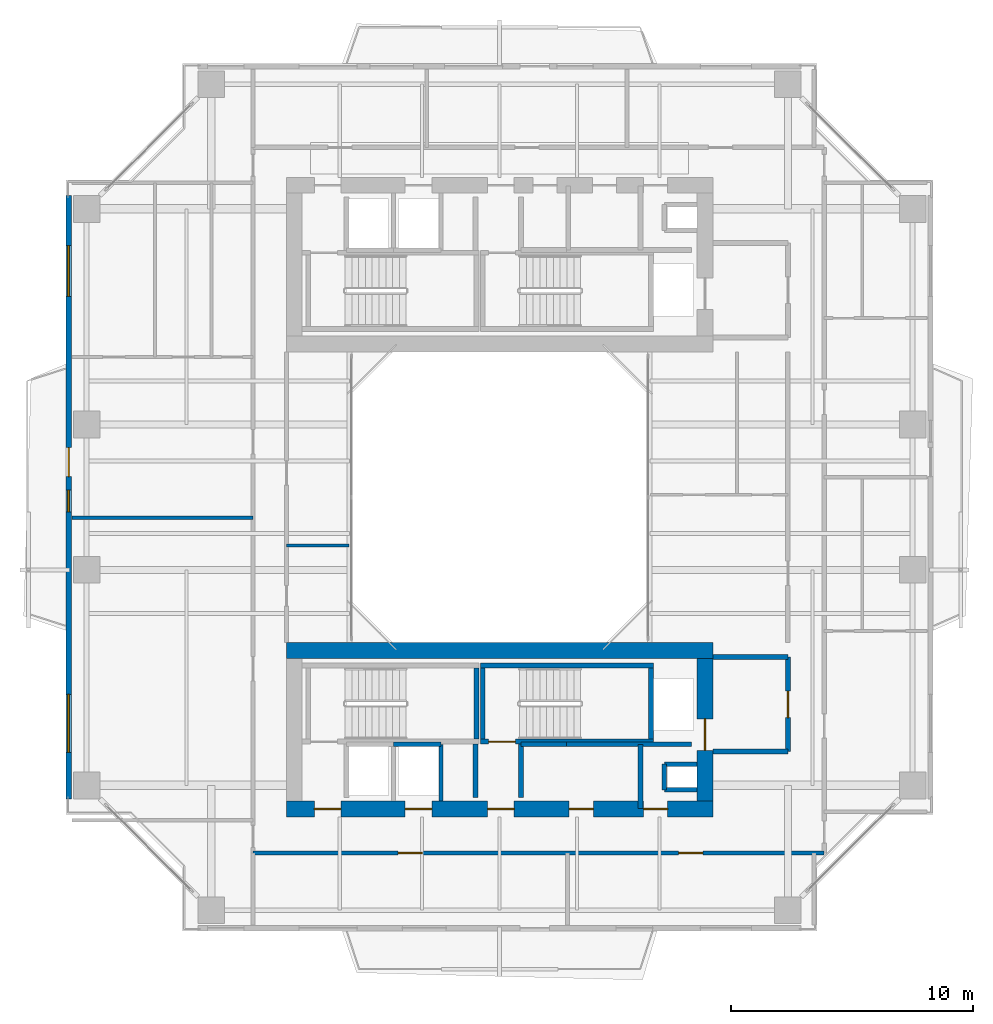
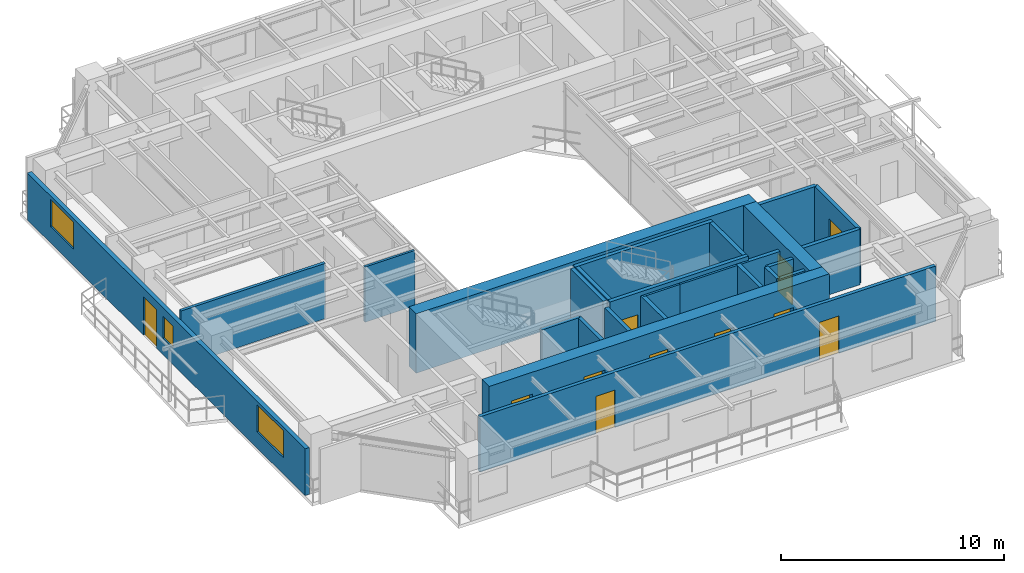
# One storey, part 10 of 16: 25 walls, 11 doors, 3 windows, 14 openings.
"""IFC4 building model written with IfcOpenShell, lengths in metres."""

from ifc_helpers import new_model, si_unit, direction, frame, frame_2d, origin, place, context, subcontext, project, spatial, rectangle, extrude, source, transform, mapped, material, layer, layer_set, type_object, element, fill, save


model = new_model("IFC4")

# Units and contexts
model_context = context("Model", 3, precision=1e-05, world=origin(), true_north=direction((0.0, 1.0)))
body_context = subcontext(model_context, "Body", "Model", "MODEL_VIEW")
ifc_project = project(units=[si_unit("LENGTHUNIT", "METRE"), si_unit("AREAUNIT", "SQUARE_METRE"), si_unit("VOLUMEUNIT", "CUBIC_METRE"), si_unit("PLANEANGLEUNIT", "RADIAN"), si_unit("MASSUNIT", "GRAM", prefix="KILO"), si_unit("THERMODYNAMICTEMPERATUREUNIT", "KELVIN"), si_unit("POWERUNIT", "WATT")], contexts=[model_context])

# Site, building, storey
site_placement = place(None, origin())
site = spatial("IfcSite", under=ifc_project, at=site_placement, CompositionType="ELEMENT")
building_placement = place(site_placement, origin())
building = spatial("IfcBuilding", under=site, at=building_placement, Name="Qiaomeng Ring Towers", CompositionType="ELEMENT")
storey_placement = place(building_placement, frame((0.0, 0.0, 136.0)))
storey = spatial("IfcBuildingStorey", under=building, at=storey_placement, Name="L39", CompositionType="ELEMENT", Elevation=136.0)

# Wall, openings, windows, door
ifc_material_1 = material(Name="Precast concrete C40", Category="concrete")
ifc_layer_1 = layer(ifc_material_1, 0.219970703125, Name="Precast concrete C40")
ifc_layer_set_1 = layer_set([ifc_layer_1], Name="Precast concrete C40")
wall_type_1 = type_object("IfcWallType", Name="ARC-WL-EW2", PredefinedType="STANDARD", material=ifc_layer_set_1)
wall_1_placement = place(storey_placement, frame((1.2099609375, 10.550048828125, 0.0), z_axis=(0.0, 0.0, 1.0), x_axis=(0.0, 1.0, 0.0)))
wall_1 = element("IfcWall", 1, at=wall_1_placement, inside=storey, type_object=wall_type_1, Name="L39 Tower 1 W Exterior Wall", PredefinedType="STANDARD", context=body_context, shape_type="SweptSolid", body=[
    extrude(rectangle(XDim=24.89990234375, YDim=0.219970703125, at=frame_2d((12.449951171875, 0.0))), origin(), (0.0, 0.0, 1.0), 2.570068359375),
])
opening_1_placement = place(wall_1_placement, frame((13.300048828125, 0.0, 0.0)))
opening_1 = element("IfcOpeningElement", 2, at=opening_1_placement, cuts=wall_1, Name="Opening BD1", PredefinedType="OPENING", context=body_context, shape_type="SweptSolid", body=[
    extrude(rectangle(XDim=1.199951171875, YDim=2.10009765625, at=frame_2d((0.60009765625, 1.050048828125))), frame((0.0, 0.119873046875, 0.0), z_axis=(0.0, -1.0, 0.0), x_axis=(1.0, 0.0, 0.0)), (0.0, 0.0, 1.0), 0.239990234375),
])
opening_2_placement = place(wall_1_placement, frame((1.912109375, 0.0, 0.89990234375)))
opening_2 = element("IfcOpeningElement", 3, at=opening_2_placement, cuts=wall_1, Name="Opening WN6", PredefinedType="OPENING", context=body_context, shape_type="SweptSolid", body=[
    extrude(rectangle(XDim=2.39990234375, YDim=1.47998046875, at=frame_2d((1.199951171875, 0.739990234375))), frame((0.0, 0.119873046875, 0.0), z_axis=(0.0, -1.0, 0.0), x_axis=(1.0, 0.0, 0.0)), (0.0, 0.0, 1.0), 0.239990234375),
])
opening_3_placement = place(wall_1_placement, frame((20.737060546875, 0.0, 0.89990234375)))
opening_3 = element("IfcOpeningElement", 4, at=opening_3_placement, cuts=wall_1, Name="Opening WN4", PredefinedType="OPENING", context=body_context, shape_type="SweptSolid", body=[
    extrude(rectangle(XDim=2.10009765625, YDim=1.47998046875, at=frame_2d((1.050048828125, 0.739990234375))), frame((0.0, 0.119873046875, 0.0), z_axis=(0.0, -1.0, 0.0), x_axis=(1.0, 0.0, 0.0)), (0.0, 0.0, 1.0), 0.239990234375),
])
opening_4_placement = place(wall_1_placement, frame((11.844970703125, 0.0, 0.89990234375)))
opening_4 = element("IfcOpeningElement", 5, at=opening_4_placement, cuts=wall_1, Name="Opening WN5", PredefinedType="OPENING", context=body_context, shape_type="SweptSolid", body=[
    extrude(rectangle(XDim=0.89990234375, YDim=1.199951171875, at=frame_2d((0.449951171875, 0.60009765625))), frame((0.0, 0.119873046875, 0.0), z_axis=(0.0, -1.0, 0.0), x_axis=(1.0, 0.0, 0.0)), (0.0, 0.0, 1.0), 0.239990234375),
])
ifc_material_2 = material(Name="Low-E dark-grey laminated double glazing", Category="glass")
window_type_1 = type_object("IfcWindowType", Name="ARC-WN-4", PartitioningType="TRIPLE_PANEL_VERTICAL", PredefinedType="WINDOW", material=ifc_material_2)
shared_shape_1 = source(origin(), body_context, "Body", "SweptSolid", [
    extrude(rectangle(XDim=2.10009765625, YDim=1.47998046875, at=frame_2d((1.050048828125, 0.739990234375))), frame((0.0, 0.030029296875, 0.0), z_axis=(0.0, -1.0, 0.0), x_axis=(1.0, 0.0, 0.0)), (0.0, 0.0, 1.0), 0.06005859375),
])
window_1_placement = place(opening_3_placement, origin())
window_1 = element("IfcWindow", 6, at=window_1_placement, inside=storey, type_object=window_type_1, Name="L39 Exterior Window WN4", OverallHeight=1.47998046875, OverallWidth=2.10009765625, PartitioningType="TRIPLE_PANEL_VERTICAL", PredefinedType="WINDOW", context=body_context, shape_type="MappedRepresentation", body=[
    mapped(shared_shape_1, transform((0.0, 0.0, 0.0), x_axis=(1.0, 0.0, 0.0), y_axis=(0.0, 1.0, 0.0), z_axis=(0.0, 0.0, 1.0), scale=1.0)),
])
fill(opening_3, window_1)
window_type_2 = type_object("IfcWindowType", Name="ARC-WN-6", PartitioningType="TRIPLE_PANEL_VERTICAL", PredefinedType="WINDOW", material=ifc_material_2)
shared_shape_2 = source(origin(), body_context, "Body", "SweptSolid", [
    extrude(rectangle(XDim=2.39990234375, YDim=1.47998046875, at=frame_2d((1.199951171875, 0.739990234375))), frame((0.0, 0.030029296875, 0.0), z_axis=(0.0, -1.0, 0.0), x_axis=(1.0, 0.0, 0.0)), (0.0, 0.0, 1.0), 0.06005859375),
])
window_2_placement = place(opening_2_placement, origin())
window_2 = element("IfcWindow", 7, at=window_2_placement, inside=storey, type_object=window_type_2, Name="L39 Exterior Window WN6", OverallHeight=1.47998046875, OverallWidth=2.39990234375, PartitioningType="TRIPLE_PANEL_VERTICAL", PredefinedType="WINDOW", context=body_context, shape_type="MappedRepresentation", body=[
    mapped(shared_shape_2, transform((0.0, 0.0, 0.0), x_axis=(1.0, 0.0, 0.0), y_axis=(0.0, 1.0, 0.0), z_axis=(0.0, 0.0, 1.0), scale=1.0)),
])
fill(opening_2, window_2)
door_type_1 = type_object("IfcDoorType", Name="ARC-DR-BD1", OperationType="NOTDEFINED", PredefinedType="DOOR", material=ifc_material_2)
shared_shape_3 = source(origin(), body_context, "Body", "SweptSolid", [
    extrude(rectangle(XDim=1.199951171875, YDim=2.10009765625, at=frame_2d((0.60009765625, 1.050048828125))), frame((0.0, 0.02490234375, 0.0), z_axis=(0.0, -1.0, 0.0), x_axis=(1.0, 0.0, 0.0)), (0.0, 0.0, 1.0), 0.050048828125),
])
door_1_placement = place(opening_1_placement, frame((1.199951171875, 0.0, 0.0), z_axis=(0.0, 0.0, 1.0), x_axis=(-1.0, 0.0, 0.0)))
door_1 = element("IfcDoor", 8, at=door_1_placement, inside=storey, type_object=door_type_1, Name="L39 W Balcony Glazed Door", OperationType="SINGLE_SWING_LEFT", OverallHeight=2.10009765625, OverallWidth=1.199951171875, PredefinedType="DOOR", context=body_context, shape_type="MappedRepresentation", body=[
    mapped(shared_shape_3, transform((0.0, 0.0, 0.0), x_axis=(1.0, 0.0, 0.0), y_axis=(0.0, 1.0, 0.0), z_axis=(0.0, 0.0, 1.0), scale=1.0)),
])
fill(opening_1, door_1)
window_type_3 = type_object("IfcWindowType", Name="ARC-WN-5", PartitioningType="SINGLE_PANEL", PredefinedType="WINDOW", material=ifc_material_2)
shared_shape_4 = source(origin(), body_context, "Body", "SweptSolid", [
    extrude(rectangle(XDim=0.89990234375, YDim=1.199951171875, at=frame_2d((0.449951171875, 0.60009765625))), frame((0.0, 0.030029296875, 0.0), z_axis=(0.0, -1.0, 0.0), x_axis=(1.0, 0.0, 0.0)), (0.0, 0.0, 1.0), 0.06005859375),
])
window_3_placement = place(opening_4_placement, origin())
window_3 = element("IfcWindow", 9, at=window_3_placement, inside=storey, type_object=window_type_3, Name="L39 Exterior Window WN5", OverallHeight=1.199951171875, OverallWidth=0.89990234375, PartitioningType="SINGLE_PANEL", PredefinedType="WINDOW", context=body_context, shape_type="MappedRepresentation", body=[
    mapped(shared_shape_4, transform((0.0, 0.0, 0.0), x_axis=(1.0, 0.0, 0.0), y_axis=(0.0, 1.0, 0.0), z_axis=(0.0, 0.0, 1.0), scale=1.0)),
])
fill(opening_4, window_3)

# Walls
ifc_material_3 = material(Name="Autoclaved aerated concrete block", Category="concrete")
ifc_layer_2 = layer(ifc_material_3, 0.199951171875, Name="Autoclaved aerated concrete block")
ifc_layer_set_2 = layer_set([ifc_layer_2], Name="Autoclaved aerated concrete block")
wall_type_2 = type_object("IfcWallType", Name="ARC-WL-PW1", PredefinedType="PARTITIONING", material=ifc_layer_set_2)
for number, where, z_axis, x_axis, name in (
    (10, (27.800048828125, 16.39990234375, 0.0), (0.0, 0.0, 1.0), (1.0, 0.0, 0.0), "L39 Interior Wall PW1"),
    (11, (27.800048828125, 12.5, 0.0), (0.0, 0.0, 1.0), (1.0, 0.0, 0.0), "L39 Interior Wall PW1"),
):
    element("IfcWall", number, at=place(storey_placement, frame(where, z_axis=z_axis, x_axis=x_axis)), inside=storey, type_object=wall_type_2, Name=name, PredefinedType="PARTITIONING", context=body_context, shape_type="SweptSolid", body=[
        extrude(rectangle(XDim=3.099853515625, YDim=0.199951171875, at=frame_2d((1.5498046875, 0.0))), origin(), (0.0, 0.0, 1.0), 3.030029296875),
    ])

# Wall, opening, door
wall_2_placement = place(storey_placement, frame((30.89990234375, 12.5, 0.0), z_axis=(0.0, 0.0, 1.0), x_axis=(0.0, 1.0, 0.0)))
wall_2 = element("IfcWall", 12, at=wall_2_placement, inside=storey, type_object=wall_type_2, Name="L39 Interior Wall PW1", PredefinedType="PARTITIONING", context=body_context, shape_type="SweptSolid", body=[
    extrude(rectangle(XDim=3.89990234375, YDim=0.199951171875, at=frame_2d((1.949951171875, 0.0))), origin(), (0.0, 0.0, 1.0), 3.030029296875),
])
opening_5_placement = place(wall_2_placement, frame((1.39990234375, 0.0, 0.0)))
opening_5 = element("IfcOpeningElement", 13, at=opening_5_placement, cuts=wall_2, Name="Opening FD3", PredefinedType="OPENING", context=body_context, shape_type="SweptSolid", body=[
    extrude(rectangle(XDim=1.10009765625, YDim=2.050048828125, at=frame_2d((0.550048828125, 1.02490234375))), frame((0.0, 0.10986328125, 0.0), z_axis=(0.0, -1.0, 0.0), x_axis=(1.0, 0.0, 0.0)), (0.0, 0.0, 1.0), 0.219970703125),
])
ifc_material_4 = material(Name="Galvanised steel", Category="steel")
door_type_2 = type_object("IfcDoorType", Name="ARC-DR-FD3", OperationType="NOTDEFINED", PredefinedType="DOOR", material=ifc_material_4)
shared_shape_5 = source(origin(), body_context, "Body", "SweptSolid", [
    extrude(rectangle(XDim=1.10009765625, YDim=2.050048828125, at=frame_2d((0.550048828125, 1.02490234375))), frame((0.0, 0.02490234375, 0.0), z_axis=(0.0, -1.0, 0.0), x_axis=(1.0, 0.0, 0.0)), (0.0, 0.0, 1.0), 0.050048828125),
])
door_2_placement = place(opening_5_placement, origin())
door_2 = element("IfcDoor", 14, at=door_2_placement, inside=storey, type_object=door_type_2, Name="L39 South FF Lobby Door", OperationType="SINGLE_SWING_LEFT", OverallHeight=2.050048828125, OverallWidth=1.10009765625, PredefinedType="DOOR", context=body_context, shape_type="MappedRepresentation", body=[
    mapped(shared_shape_5, transform((0.0, 0.0, 0.0), x_axis=(1.0, 0.0, 0.0), y_axis=(0.0, 1.0, 0.0), z_axis=(0.0, 0.0, 1.0), scale=1.0)),
])
fill(opening_5, door_2)

# Walls
for number, where, z_axis, x_axis, name in (
    (15, (18.0, 10.60009765625, 0.0), (0.0, 0.0, 1.0), (0.0, 1.0, 0.0), "L39 Interior Wall PW1"),
    (16, (19.8798828125, 10.60009765625, 0.0), (0.0, 0.0, 1.0), (0.0, 1.0, 0.0), "L39 Interior Wall PW1"),
):
    element("IfcWall", number, at=place(storey_placement, frame(where, z_axis=z_axis, x_axis=x_axis)), inside=storey, type_object=wall_type_2, Name=name, PredefinedType="PARTITIONING", context=body_context, shape_type="SweptSolid", body=[
        extrude(rectangle(XDim=2.2099609375, YDim=0.199951171875, at=frame_2d((1.10498046875, 0.0))), origin(), (0.0, 0.0, 1.0), 3.030029296875),
    ])
wall_3_placement = place(storey_placement, frame((24.820068359375, 10.14990234375, 0.0), z_axis=(0.0, 0.0, 1.0), x_axis=(0.0, 1.0, 0.0)))
element("IfcWall", 17, at=wall_3_placement, inside=storey, type_object=wall_type_2, Name="L39 Interior Wall PW1", PredefinedType="PARTITIONING", context=body_context, shape_type="SweptSolid", body=[
    extrude(rectangle(XDim=2.650146484375, YDim=0.199951171875, at=frame_2d((1.3251953125, 0.0))), origin(), (0.0, 0.0, 1.0), 3.030029296875),
])
wall_4_placement = place(storey_placement, frame((19.8798828125, 12.800048828125, 0.0), z_axis=(0.0, 0.0, 1.0), x_axis=(1.0, 0.0, 0.0)))
element("IfcWall", 18, at=wall_4_placement, inside=storey, type_object=wall_type_2, Name="L39 Interior Wall PW1", PredefinedType="PARTITIONING", context=body_context, shape_type="SweptSolid", body=[
    extrude(rectangle(XDim=1.8701171875, YDim=0.199951171875, at=frame_2d((0.93505859375, 0.0))), origin(), (0.0, 0.0, 1.0), 3.030029296875),
])
wall_5_placement = place(storey_placement, frame((21.75, 12.800048828125, 0.0), z_axis=(0.0, 0.0, 1.0), x_axis=(1.0, 0.0, 0.0)))
element("IfcWall", 19, at=wall_5_placement, inside=storey, type_object=wall_type_2, Name="L39 Interior Wall PW1", PredefinedType="PARTITIONING", context=body_context, shape_type="SweptSolid", body=[
    extrude(rectangle(XDim=5.169921875, YDim=0.199951171875, at=frame_2d((2.5849609375, 0.0))), origin(), (0.0, 0.0, 1.0), 3.030029296875),
])

# Wall, openings, doors
ifc_layer_3 = layer(ifc_material_3, 0.179931640625, Name="Autoclaved aerated concrete block")
ifc_layer_set_3 = layer_set([ifc_layer_3], Name="Autoclaved aerated concrete block")
wall_type_3 = type_object("IfcWallType", Name="ARC-WL-PW2", PredefinedType="PARTITIONING", material=ifc_layer_set_3)
wall_6_placement = place(storey_placement, frame((8.820068359375, 8.31005859375, 0.0), z_axis=(0.0, 0.0, 1.0), x_axis=(1.0, 0.0, 0.0)))
wall_6 = element("IfcWall", 20, at=wall_6_placement, inside=storey, type_object=wall_type_3, Name="L39 Interior Wall PW2", PredefinedType="PARTITIONING", context=body_context, shape_type="SweptSolid", body=[
    extrude(rectangle(XDim=23.579833984375, YDim=0.179931640625, at=frame_2d((11.7900390625, 0.0))), origin(), (0.0, 0.0, 1.0), 3.030029296875),
])
opening_6_placement = place(wall_6_placement, frame((5.989990234375, 0.0, 0.0)))
opening_6 = element("IfcOpeningElement", 21, at=opening_6_placement, cuts=wall_6, Name="Opening FD4", PredefinedType="OPENING", context=body_context, shape_type="SweptSolid", body=[
    extrude(rectangle(XDim=1.0, YDim=2.050048828125, at=frame_2d((0.5, 1.02490234375))), frame((0.0, 0.099853515625, 0.0), z_axis=(0.0, -1.0, 0.0), x_axis=(1.0, 0.0, 0.0)), (0.0, 0.0, 1.0), 0.199951171875),
])
opening_7_placement = place(wall_6_placement, frame((17.570068359375, 0.0, 0.0)))
opening_7 = element("IfcOpeningElement", 22, at=opening_7_placement, cuts=wall_6, Name="Opening FD4", PredefinedType="OPENING", context=body_context, shape_type="SweptSolid", body=[
    extrude(rectangle(XDim=1.0, YDim=2.050048828125, at=frame_2d((0.5, 1.02490234375))), frame((0.0, 0.099853515625, 0.0), z_axis=(0.0, -1.0, 0.0), x_axis=(1.0, 0.0, 0.0)), (0.0, 0.0, 1.0), 0.199951171875),
])
ifc_material_5 = material(Name="Engineered fire-rated oak timber", Category="wood")
door_type_3 = type_object("IfcDoorType", Name="ARC-DR-FD4", OperationType="NOTDEFINED", PredefinedType="DOOR", material=ifc_material_5)
shared_shape_6 = source(origin(), body_context, "Body", "SweptSolid", [
    extrude(rectangle(XDim=1.0, YDim=2.050048828125, at=frame_2d((0.5, 1.02490234375))), frame((0.0, 0.02490234375, 0.0), z_axis=(0.0, -1.0, 0.0), x_axis=(1.0, 0.0, 0.0)), (0.0, 0.0, 1.0), 0.050048828125),
])
door_3_placement = place(opening_6_placement, origin())
door_3 = element("IfcDoor", 23, at=door_3_placement, inside=storey, type_object=door_type_3, Name="L39 Door FD4", OperationType="SINGLE_SWING_RIGHT", OverallHeight=2.050048828125, OverallWidth=1.0, PredefinedType="DOOR", context=body_context, shape_type="MappedRepresentation", body=[
    mapped(shared_shape_6, transform((0.0, 0.0, 0.0), x_axis=(1.0, 0.0, 0.0), y_axis=(0.0, 1.0, 0.0), z_axis=(0.0, 0.0, 1.0), scale=1.0)),
])
fill(opening_6, door_3)
door_4_placement = place(opening_7_placement, origin())
door_4 = element("IfcDoor", 24, at=door_4_placement, inside=storey, type_object=door_type_3, Name="L39 Door FD4", OperationType="SINGLE_SWING_LEFT", OverallHeight=2.050048828125, OverallWidth=1.0, PredefinedType="DOOR", context=body_context, shape_type="MappedRepresentation", body=[
    mapped(shared_shape_6, transform((0.0, 0.0, 0.0), x_axis=(1.0, 0.0, 0.0), y_axis=(0.0, 1.0, 0.0), z_axis=(0.0, 0.0, 1.0), scale=1.0)),
])
fill(opening_7, door_4)

# Walls
ifc_material_6 = material(Name="Gypsum fireboard steel-stud partition", Category="steel")
ifc_layer_4 = layer(ifc_material_6, 0.14990234375, Name="Gypsum fireboard steel-stud partition")
ifc_layer_set_4 = layer_set([ifc_layer_4], Name="Gypsum fireboard steel-stud partition")
wall_type_4 = type_object("IfcWallType", Name="ARC-WL-PW3", PredefinedType="PARTITIONING", material=ifc_layer_set_4)
wall_7_placement = place(storey_placement, frame((1.35009765625, 22.159912109375, 0.0), z_axis=(0.0, 0.0, 1.0), x_axis=(1.0, 0.0, 0.0)))
element("IfcWall", 25, at=wall_7_placement, inside=storey, type_object=wall_type_4, Name="L39 Interior Wall PW3", PredefinedType="PARTITIONING", context=body_context, shape_type="SweptSolid", body=[
    extrude(rectangle(XDim=7.469970703125, YDim=0.14990234375, at=frame_2d((3.73486328125, 0.0))), origin(), (0.0, 0.0, 1.0), 3.030029296875),
])
ifc_material_7 = material(Name="Moisture-resistant gypsum steel-stud partition", Category="steel")
ifc_layer_5 = layer(ifc_material_7, 0.1201171875, Name="Moisture-resistant gypsum steel-stud partition")
ifc_layer_set_5 = layer_set([ifc_layer_5], Name="Moisture-resistant gypsum steel-stud partition")
wall_type_5 = type_object("IfcWallType", Name="ARC-WL-PW4", PredefinedType="PLUMBINGWALL", material=ifc_layer_set_5)
wall_8_placement = place(storey_placement, frame((10.199951171875, 21.0, 0.0), z_axis=(0.0, 0.0, 1.0), x_axis=(1.0, 0.0, 0.0)))
element("IfcWall", 26, at=wall_8_placement, inside=storey, type_object=wall_type_5, Name="L39 Interior Wall PW4", PredefinedType="PLUMBINGWALL", context=body_context, shape_type="SweptSolid", body=[
    extrude(rectangle(XDim=2.580078125, YDim=0.1201171875, at=frame_2d((1.2900390625, 0.0))), origin(), (0.0, 0.0, 1.0), 3.030029296875),
])
ifc_material_8 = material(Name="Concrete C40", Category="concrete")
ifc_layer_6 = layer(ifc_material_8, 0.199951171875, Name="Concrete C40")
ifc_layer_set_6 = layer_set([ifc_layer_6], Name="Concrete C40")
wall_type_6 = type_object("IfcWallType", Name="STR-WL-STSHAFT", PredefinedType="SHEAR", material=ifc_layer_set_6)
wall_9_placement = place(storey_placement, frame((25.800048828125, 10.919921875, 0.0), z_axis=(0.0, 0.0, 1.0), x_axis=(0.0, 1.0, 0.0)))
element("IfcWall", 27, at=wall_9_placement, inside=storey, type_object=wall_type_6, Name="L39 Riser RSR1 West Shaft Wall S", PredefinedType="SHEAR", context=body_context, shape_type="SweptSolid", body=[
    extrude(rectangle(XDim=1.06005859375, YDim=0.179931640625, at=frame_2d((0.530029296875, 0.0))), origin(), (0.0, 0.0, 1.0), 3.030029296875),
])
for number, where, z_axis, x_axis, name in (
    (28, (25.800048828125, 11.97998046875, 0.0), (0.0, 0.0, 1.0), (1.0, 0.0, 0.0), "L39 Riser RSR1 North Shaft Wall S"),
    (29, (25.800048828125, 10.919921875, 0.0), (0.0, 0.0, 1.0), (1.0, 0.0, 0.0), "L39 Riser RSR1 South Shaft Wall S"),
):
    element("IfcWall", number, at=place(storey_placement, frame(where, z_axis=z_axis, x_axis=x_axis)), inside=storey, type_object=wall_type_6, Name=name, PredefinedType="SHEAR", context=body_context, shape_type="SweptSolid", body=[
        extrude(rectangle(XDim=1.349853515625, YDim=0.179931640625, at=frame_2d((0.6748046875, 0.0))), origin(), (0.0, 0.0, 1.0), 3.030029296875),
    ])
wall_10_placement = place(storey_placement, frame((14.6201171875, 12.800048828125, 0.0), z_axis=(0.0, 0.0, 1.0), x_axis=(1.0, 0.0, 0.0)))
element("IfcWall", 30, at=wall_10_placement, inside=storey, type_object=wall_type_6, Name="L39 Lift LP4 Shaft Back Wall", PredefinedType="SHEAR", context=body_context, shape_type="SweptSolid", body=[
    extrude(rectangle(XDim=1.9599609375, YDim=0.179931640625, at=frame_2d((0.97998046875, 0.0))), origin(), (0.0, 0.0, 1.0), 3.030029296875),
])
wall_11_placement = place(storey_placement, frame((16.580078125, 10.449951171875, 0.0), z_axis=(0.0, 0.0, 1.0), x_axis=(0.0, 1.0, 0.0)))
element("IfcWall", 31, at=wall_11_placement, inside=storey, type_object=wall_type_6, Name="L39 Lift LP4 East Shaft Wall", PredefinedType="SHEAR", context=body_context, shape_type="SweptSolid", body=[
    extrude(rectangle(XDim=2.35009765625, YDim=0.179931640625, at=frame_2d((1.175048828125, 0.0))), origin(), (0.0, 0.0, 1.0), 3.030029296875),
])
wall_12_placement = place(storey_placement, frame((18.050048828125, 13.010009765625, 0.0), z_axis=(0.0, 0.0, 1.0), x_axis=(0.0, 1.0, 0.0)))
element("IfcWall", 32, at=wall_12_placement, inside=storey, type_object=wall_type_6, Name="L39 Stair ST3 East Shaft Shear Wall", PredefinedType="SHEAR", context=body_context, shape_type="SweptSolid", body=[
    extrude(rectangle(XDim=2.93994140625, YDim=0.199951171875, at=frame_2d((1.469970703125, 0.0))), origin(), (0.0, 0.0, 1.0), 3.25),
])

# Wall, opening, door
wall_13_placement = place(storey_placement, frame((18.199951171875, 12.909912109375, 0.0), z_axis=(0.0, 0.0, 1.0), x_axis=(1.0, 0.0, 0.0)))
wall_13 = element("IfcWall", 33, at=wall_13_placement, inside=storey, type_object=wall_type_6, Name="L39 Stair ST4 South Shaft Shear Wall", PredefinedType="SHEAR", context=body_context, shape_type="SweptSolid", body=[
    extrude(rectangle(XDim=7.150146484375, YDim=0.199951171875, at=frame_2d((3.5751953125, 0.0))), origin(), (0.0, 0.0, 1.0), 3.25),
])
opening_8_placement = place(wall_13_placement, frame((0.35009765625, 0.0, 0.0)))
opening_8 = element("IfcOpeningElement", 34, at=opening_8_placement, cuts=wall_13, Name="Opening FD3", PredefinedType="OPENING", context=body_context, shape_type="SweptSolid", body=[
    extrude(rectangle(XDim=1.10009765625, YDim=2.050048828125, at=frame_2d((0.550048828125, 1.02490234375))), frame((0.0, 0.10986328125, 0.0), z_axis=(0.0, -1.0, 0.0), x_axis=(1.0, 0.0, 0.0)), (0.0, 0.0, 1.0), 0.219970703125),
])
door_5_placement = place(opening_8_placement, frame((1.10009765625, 0.0, 0.0), z_axis=(0.0, 0.0, 1.0), x_axis=(-1.0, 0.0, 0.0)))
door_5 = element("IfcDoor", 35, at=door_5_placement, inside=storey, type_object=door_type_2, Name="L39 Stair ST4 Exit Door", OperationType="SINGLE_SWING_LEFT", OverallHeight=2.050048828125, OverallWidth=1.10009765625, PredefinedType="DOOR", context=body_context, shape_type="MappedRepresentation", body=[
    mapped(shared_shape_5, transform((0.0, 0.0, 0.0), x_axis=(1.0, 0.0, 0.0), y_axis=(0.0, 1.0, 0.0), z_axis=(0.0, 0.0, 1.0), scale=1.0)),
])
fill(opening_8, door_5)

# Walls
wall_14_placement = place(storey_placement, frame((18.199951171875, 16.050048828125, 0.0), z_axis=(0.0, 0.0, 1.0), x_axis=(1.0, 0.0, 0.0)))
element("IfcWall", 36, at=wall_14_placement, inside=storey, type_object=wall_type_6, Name="L39 Stair ST4 North Shaft Shear Wall", PredefinedType="SHEAR", context=body_context, shape_type="SweptSolid", body=[
    extrude(rectangle(XDim=7.150146484375, YDim=0.199951171875, at=frame_2d((3.5751953125, 0.0))), origin(), (0.0, 0.0, 1.0), 3.25),
])
for number, where, z_axis, x_axis, name in (
    (37, (18.300048828125, 13.010009765625, 0.0), (0.0, 0.0, 1.0), (0.0, 1.0, 0.0), "L39 Stair ST4 West Shaft Shear Wall"),
    (38, (25.25, 13.010009765625, 0.0), (0.0, 0.0, 1.0), (0.0, 1.0, 0.0), "L39 Stair ST4 East Shaft Shear Wall"),
):
    element("IfcWall", number, at=place(storey_placement, frame(where, z_axis=z_axis, x_axis=x_axis)), inside=storey, type_object=wall_type_6, Name=name, PredefinedType="SHEAR", context=body_context, shape_type="SweptSolid", body=[
        extrude(rectangle(XDim=2.93994140625, YDim=0.199951171875, at=frame_2d((1.469970703125, 0.0))), origin(), (0.0, 0.0, 1.0), 3.25),
    ])

# Wall, openings, doors
ifc_material_9 = material(Name="Concrete C55", Category="concrete")
ifc_layer_7 = layer(ifc_material_9, 0.64990234375, Name="Concrete C55")
ifc_layer_set_7 = layer_set([ifc_layer_7], Name="Concrete C55")
wall_type_7 = type_object("IfcWallType", Name="STR-WL-SW2A", PredefinedType="SHEAR", material=ifc_layer_set_7)
wall_15_placement = place(storey_placement, frame((10.199951171875, 10.125, 0.0), z_axis=(0.0, 0.0, 1.0), x_axis=(1.0, 0.0, 0.0)))
wall_15 = element("IfcWall", 39, at=wall_15_placement, inside=storey, type_object=wall_type_7, Name="L39 T1SC south core shear wall", PredefinedType="SHEAR", context=body_context, shape_type="SweptSolid", body=[
    extrude(rectangle(XDim=17.60009765625, YDim=0.64990234375, at=frame_2d((8.800048828125, 0.0))), origin(), (0.0, 0.0, 1.0), 3.25),
])
opening_9_placement = place(wall_15_placement, frame((1.14990234375, 0.0, 0.0)))
opening_9 = element("IfcOpeningElement", 40, at=opening_9_placement, cuts=wall_15, Name="Opening FD3", PredefinedType="OPENING", context=body_context, shape_type="SweptSolid", body=[
    extrude(rectangle(XDim=1.10009765625, YDim=2.050048828125, at=frame_2d((0.550048828125, 1.02490234375))), frame((0.0, 0.3349609375, 0.0), z_axis=(0.0, -1.0, 0.0), x_axis=(1.0, 0.0, 0.0)), (0.0, 0.0, 1.0), 0.669921875),
])
opening_10_placement = place(wall_15_placement, frame((8.300048828125, 0.0, 0.0)))
opening_10 = element("IfcOpeningElement", 41, at=opening_10_placement, cuts=wall_15, Name="Opening FD3", PredefinedType="OPENING", context=body_context, shape_type="SweptSolid", body=[
    extrude(rectangle(XDim=1.10009765625, YDim=2.050048828125, at=frame_2d((0.550048828125, 1.02490234375))), frame((0.0, 0.3349609375, 0.0), z_axis=(0.0, -1.0, 0.0), x_axis=(1.0, 0.0, 0.0)), (0.0, 0.0, 1.0), 0.669921875),
])
opening_11_placement = place(wall_15_placement, frame((4.89990234375, 0.0, 0.0)))
opening_11 = element("IfcOpeningElement", 42, at=opening_11_placement, cuts=wall_15, Name="Opening LD1", PredefinedType="OPENING", context=body_context, shape_type="SweptSolid", body=[
    extrude(rectangle(XDim=1.10009765625, YDim=2.050048828125, at=frame_2d((0.550048828125, 1.02490234375))), frame((0.0, 0.3349609375, 0.0), z_axis=(0.0, -1.0, 0.0), x_axis=(1.0, 0.0, 0.0)), (0.0, 0.0, 1.0), 0.669921875),
])
opening_12_placement = place(wall_15_placement, frame((14.739990234375, 0.0, 0.0)))
opening_12 = element("IfcOpeningElement", 43, at=opening_12_placement, cuts=wall_15, Name="Opening FD1", PredefinedType="OPENING", context=body_context, shape_type="SweptSolid", body=[
    extrude(rectangle(XDim=1.0, YDim=2.050048828125, at=frame_2d((0.5, 1.02490234375))), frame((0.0, 0.3349609375, 0.0), z_axis=(0.0, -1.0, 0.0), x_axis=(1.0, 0.0, 0.0)), (0.0, 0.0, 1.0), 0.669921875),
])
opening_13_placement = place(wall_15_placement, frame((11.669921875, 0.0, 0.0)))
opening_13 = element("IfcOpeningElement", 44, at=opening_13_placement, cuts=wall_15, Name="Opening FD1", PredefinedType="OPENING", context=body_context, shape_type="SweptSolid", body=[
    extrude(rectangle(XDim=1.0, YDim=2.050048828125, at=frame_2d((0.5, 1.02490234375))), frame((0.0, 0.3349609375, 0.0), z_axis=(0.0, -1.0, 0.0), x_axis=(1.0, 0.0, 0.0)), (0.0, 0.0, 1.0), 0.669921875),
])
door_6_placement = place(opening_9_placement, origin())
door_6 = element("IfcDoor", 45, at=door_6_placement, inside=storey, type_object=door_type_2, Name="L39 Stair ST3 Lobby Door", OperationType="SINGLE_SWING_RIGHT", OverallHeight=2.050048828125, OverallWidth=1.10009765625, PredefinedType="DOOR", context=body_context, shape_type="MappedRepresentation", body=[
    mapped(shared_shape_5, transform((0.0, 0.0, 0.0), x_axis=(1.0, 0.0, 0.0), y_axis=(0.0, 1.0, 0.0), z_axis=(0.0, 0.0, 1.0), scale=1.0)),
])
fill(opening_9, door_6)
door_7_placement = place(opening_10_placement, origin())
door_7 = element("IfcDoor", 46, at=door_7_placement, inside=storey, type_object=door_type_2, Name="L39 Stair ST4 Lobby Door", OperationType="SINGLE_SWING_RIGHT", OverallHeight=2.050048828125, OverallWidth=1.10009765625, PredefinedType="DOOR", context=body_context, shape_type="MappedRepresentation", body=[
    mapped(shared_shape_5, transform((0.0, 0.0, 0.0), x_axis=(1.0, 0.0, 0.0), y_axis=(0.0, 1.0, 0.0), z_axis=(0.0, 0.0, 1.0), scale=1.0)),
])
fill(opening_10, door_7)
ifc_material_10 = material(Name="Stainless steel 316", Category="steel")
door_type_4 = type_object("IfcDoorType", Name="ARC-DR-LD1", OperationType="NOTDEFINED", PredefinedType="DOOR", material=ifc_material_10)
door_8_placement = place(opening_11_placement, origin())
door_8 = element("IfcDoor", 47, at=door_8_placement, inside=storey, type_object=door_type_4, Name="L39 Mid-Zone Lift LP4 Landing Door", OperationType="SLIDING_TO_RIGHT", OverallHeight=2.050048828125, OverallWidth=1.10009765625, PredefinedType="DOOR", context=body_context, shape_type="MappedRepresentation", body=[
    mapped(shared_shape_5, transform((0.0, 0.0, 0.0), x_axis=(1.0, 0.0, 0.0), y_axis=(0.0, 1.0, 0.0), z_axis=(0.0, 0.0, 1.0), scale=1.0)),
])
fill(opening_11, door_8)
door_type_5 = type_object("IfcDoorType", Name="ARC-DR-FD1", OperationType="NOTDEFINED", PredefinedType="DOOR", material=ifc_material_4)
door_9_placement = place(opening_12_placement, origin())
door_9 = element("IfcDoor", 48, at=door_9_placement, inside=storey, type_object=door_type_5, Name="L39 South Electrical Riser Door", OperationType="SINGLE_SWING_LEFT", OverallHeight=2.050048828125, OverallWidth=1.0, PredefinedType="DOOR", context=body_context, shape_type="MappedRepresentation", body=[
    mapped(shared_shape_6, transform((0.0, 0.0, 0.0), x_axis=(1.0, 0.0, 0.0), y_axis=(0.0, 1.0, 0.0), z_axis=(0.0, 0.0, 1.0), scale=1.0)),
])
fill(opening_12, door_9)
door_10_placement = place(opening_13_placement, origin())
door_10 = element("IfcDoor", 49, at=door_10_placement, inside=storey, type_object=door_type_5, Name="L39 South Building Management Office Door", OperationType="SINGLE_SWING_RIGHT", OverallHeight=2.050048828125, OverallWidth=1.0, PredefinedType="DOOR", context=body_context, shape_type="MappedRepresentation", body=[
    mapped(shared_shape_6, transform((0.0, 0.0, 0.0), x_axis=(1.0, 0.0, 0.0), y_axis=(0.0, 1.0, 0.0), z_axis=(0.0, 0.0, 1.0), scale=1.0)),
])
fill(opening_13, door_10)

# Wall
wall_16_placement = place(storey_placement, frame((10.199951171875, 16.675048828125, 0.0), z_axis=(0.0, 0.0, 1.0), x_axis=(1.0, 0.0, 0.0)))
element("IfcWall", 50, at=wall_16_placement, inside=storey, type_object=wall_type_7, Name="L39 T1SC north core shear wall", PredefinedType="SHEAR", context=body_context, shape_type="SweptSolid", body=[
    extrude(rectangle(XDim=17.60009765625, YDim=0.64990234375, at=frame_2d((8.800048828125, 0.0))), origin(), (0.0, 0.0, 1.0), 3.25),
])

# Wall, opening, door
wall_17_placement = place(storey_placement, frame((27.47509765625, 10.449951171875, 0.0), z_axis=(0.0, 0.0, 1.0), x_axis=(0.0, 1.0, 0.0)))
wall_17 = element("IfcWall", 51, at=wall_17_placement, inside=storey, type_object=wall_type_7, Name="L39 T1SC east core shear wall", PredefinedType="SHEAR", context=body_context, shape_type="SweptSolid", body=[
    extrude(rectangle(XDim=5.900146484375, YDim=0.64990234375, at=frame_2d((2.9501953125, 0.0))), origin(), (0.0, 0.0, 1.0), 3.25),
])
opening_14_placement = place(wall_17_placement, frame((2.10009765625, 0.0, 0.0)))
opening_14 = element("IfcOpeningElement", 52, at=opening_14_placement, cuts=wall_17, Name="Opening LD2", PredefinedType="OPENING", context=body_context, shape_type="SweptSolid", body=[
    extrude(rectangle(XDim=1.300048828125, YDim=2.050048828125, at=frame_2d((0.64990234375, 1.02490234375))), frame((0.0, 0.3349609375, 0.0), z_axis=(0.0, -1.0, 0.0), x_axis=(1.0, 0.0, 0.0)), (0.0, 0.0, 1.0), 0.669921875),
])
door_type_6 = type_object("IfcDoorType", Name="ARC-DR-LD2", OperationType="NOTDEFINED", PredefinedType="DOOR", material=ifc_material_10)
shared_shape_7 = source(origin(), body_context, "Body", "SweptSolid", [
    extrude(rectangle(XDim=1.300048828125, YDim=2.050048828125, at=frame_2d((0.64990234375, 1.02490234375))), frame((0.0, 0.02490234375, 0.0), z_axis=(0.0, -1.0, 0.0), x_axis=(1.0, 0.0, 0.0)), (0.0, 0.0, 1.0), 0.050048828125),
])
door_11_placement = place(opening_14_placement, origin())
door_11 = element("IfcDoor", 53, at=door_11_placement, inside=storey, type_object=door_type_6, Name="L39 Firefighting Lift FL2 Landing Door", OperationType="SLIDING_TO_RIGHT", OverallHeight=2.050048828125, OverallWidth=1.300048828125, PredefinedType="DOOR", context=body_context, shape_type="MappedRepresentation", body=[
    mapped(shared_shape_7, transform((0.0, 0.0, 0.0), x_axis=(1.0, 0.0, 0.0), y_axis=(0.0, 1.0, 0.0), z_axis=(0.0, 0.0, 1.0), scale=1.0)),
])
fill(opening_14, door_11)

save(model, "model.ifc")
